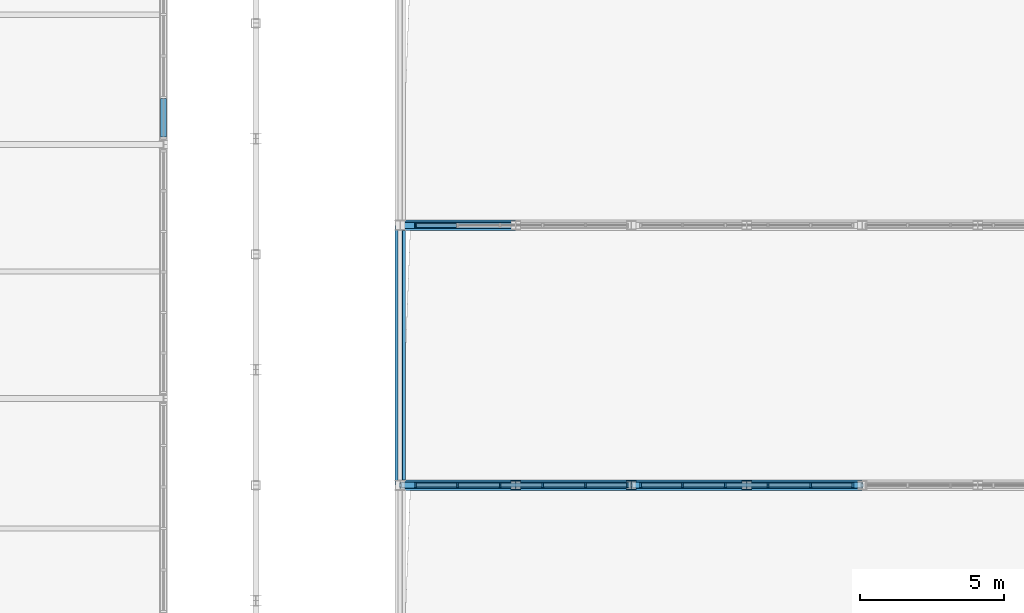
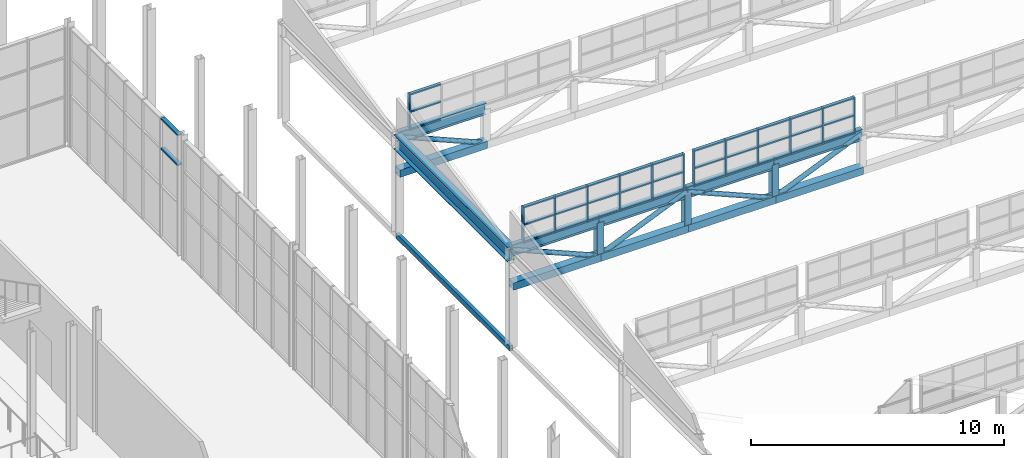
# One storey, part 82 of 159: 66 members, 2 beams, 4 elements without a shape of their own.
"""IFC4 building model written with IfcOpenShell, lengths in metres."""

from ifc_helpers import new_model, si_unit, direction, frame, origin, origin_2d, place, context, subcontext, project, spatial, rectangle, hollow_rectangle, hollow_circle, i_section, extrude, material, layer, layer_set, material_profile, profile_set, type_object, element, aggregate, save


model = new_model("IFC4")

# Units and contexts
model_context = context("Model", 3, precision=1e-05, world=origin(), true_north=direction((0.0, 1.0)))
body_context = subcontext(model_context, "Body", "Model", "MODEL_VIEW")
ifc_project = project(units=[si_unit("LENGTHUNIT", "METRE"), si_unit("AREAUNIT", "SQUARE_METRE"), si_unit("VOLUMEUNIT", "CUBIC_METRE"), si_unit("PLANEANGLEUNIT", "RADIAN"), si_unit("MASSUNIT", "GRAM", prefix="KILO")], contexts=[model_context])

# Site, building, storey
site_placement = place(None, origin())
site = spatial("IfcSite", under=ifc_project, at=site_placement, CompositionType="ELEMENT")
building_placement = place(site_placement, origin())
building = spatial("IfcBuilding", under=site, at=building_placement, Name="Cazmaro Siding Exhibition Halls", CompositionType="ELEMENT")
storey_placement = place(building_placement, frame((0.0, 0.0, 6.0)))
storey = spatial("IfcBuildingStorey", under=building, at=storey_placement, Name="L01", CompositionType="ELEMENT", Elevation=6.0)

# Curtain wall, members
ifc_material_1 = material(Name="Anodized Bronze Aluminum and Solar-Control Low-E Glazing", Category="aluminium")
ifc_layer_1 = layer(ifc_material_1, 0.159912109375)
ifc_layer_set_1 = layer_set([ifc_layer_1], Name="Anodized Bronze Aluminum and Solar-Control Low-E Glazing")
curtain_wall_type_1 = type_object("IfcCurtainWallType", Name="CWS-04", PredefinedType="USERDEFINED", material=ifc_layer_set_1)
curtain_wall_1_placement = place(storey_placement, origin())
curtain_wall_1 = element("IfcCurtainWall", 1, at=curtain_wall_1_placement, inside=storey, type_object=curtain_wall_type_1, Name="Clerestory Curtain Wall CWS-04 CW-125", ObjectType="CLERESTORY CURTAIN WALL", PredefinedType="USERDEFINED")
ifc_material_2 = material(Name="Anodized Bronze Extruded Aluminum", Category="aluminium")
ifc_material_profile_1 = material_profile(ifc_material_2, rectangle(XDim=0.159912109375, YDim=0.06005859375, at=origin_2d()), Name="CWM-04")
ifc_profile_set_1 = profile_set([ifc_material_profile_1], Name="Anodized Bronze Extruded Aluminum")
member_type_1 = type_object("IfcMemberType", Name="CWM-04", PredefinedType="MULLION", material=ifc_profile_set_1)
member_1_placement = place(storey_placement, frame((183.8701171875, 100.0, 4.800048828125), z_axis=(0.0, 0.0, 1.0), x_axis=(0.0, -1.0, 0.0)))
member_1 = element("IfcMember", 2, at=member_1_placement, type_object=member_type_1, Name="CWS-04 mullion 1", PredefinedType="MULLION", context=body_context, shape_type="SweptSolid", body=[
    extrude(rectangle(XDim=0.159912109375, YDim=0.06005859375, at=origin_2d()), origin(), (0.0, 0.0, 1.0), 1.75),
])
member_2_placement = place(storey_placement, frame((182.419921875, 100.0, 4.800048828125), z_axis=(0.0, 0.0, 1.0), x_axis=(0.0, -1.0, 0.0)))
member_2 = element("IfcMember", 3, at=member_2_placement, type_object=member_type_1, Name="CWS-04 mullion 2", PredefinedType="MULLION", context=body_context, shape_type="SweptSolid", body=[
    extrude(rectangle(XDim=0.159912109375, YDim=0.06005859375, at=origin_2d()), origin(), (0.0, 0.0, 1.0), 1.75),
])
member_3_placement = place(storey_placement, frame((180.93994140625, 100.0, 4.800048828125), z_axis=(0.0, 0.0, 1.0), x_axis=(0.0, -1.0, 0.0)))
member_3 = element("IfcMember", 4, at=member_3_placement, type_object=member_type_1, Name="CWS-04 mullion 3", PredefinedType="MULLION", context=body_context, shape_type="SweptSolid", body=[
    extrude(rectangle(XDim=0.159912109375, YDim=0.06005859375, at=origin_2d()), origin(), (0.0, 0.0, 1.0), 1.75),
])
member_4_placement = place(storey_placement, frame((179.4599609375, 100.0, 4.800048828125), z_axis=(0.0, 0.0, 1.0), x_axis=(0.0, -1.0, 0.0)))
member_4 = element("IfcMember", 5, at=member_4_placement, type_object=member_type_1, Name="CWS-04 mullion 4", PredefinedType="MULLION", context=body_context, shape_type="SweptSolid", body=[
    extrude(rectangle(XDim=0.159912109375, YDim=0.06005859375, at=origin_2d()), origin(), (0.0, 0.0, 1.0), 1.75),
])
member_5_placement = place(storey_placement, frame((177.97998046875, 100.0, 4.800048828125), z_axis=(0.0, 0.0, 1.0), x_axis=(0.0, -1.0, 0.0)))
member_5 = element("IfcMember", 6, at=member_5_placement, type_object=member_type_1, Name="CWS-04 mullion 5", PredefinedType="MULLION", context=body_context, shape_type="SweptSolid", body=[
    extrude(rectangle(XDim=0.159912109375, YDim=0.06005859375, at=origin_2d()), origin(), (0.0, 0.0, 1.0), 1.75),
])
member_6_placement = place(storey_placement, frame((176.530029296875, 100.0, 4.800048828125), z_axis=(0.0, 0.0, 1.0), x_axis=(0.0, -1.0, 0.0)))
member_6 = element("IfcMember", 7, at=member_6_placement, type_object=member_type_1, Name="CWS-04 mullion 6", PredefinedType="MULLION", context=body_context, shape_type="SweptSolid", body=[
    extrude(rectangle(XDim=0.159912109375, YDim=0.06005859375, at=origin_2d()), origin(), (0.0, 0.0, 1.0), 1.75),
])

curtain_wall_2_placement = place(storey_placement, origin())
curtain_wall_2 = element("IfcCurtainWall", 8, at=curtain_wall_2_placement, inside=storey, type_object=curtain_wall_type_1, Name="Clerestory Curtain Wall CWS-04 CW-126", ObjectType="CLERESTORY CURTAIN WALL", PredefinedType="USERDEFINED")
member_7_placement = place(storey_placement, frame((191.669921875, 100.0, 4.800048828125), z_axis=(0.0, 0.0, 1.0), x_axis=(0.0, -1.0, 0.0)))
member_7 = element("IfcMember", 9, at=member_7_placement, type_object=member_type_1, Name="CWS-04 mullion 1", PredefinedType="MULLION", context=body_context, shape_type="SweptSolid", body=[
    extrude(rectangle(XDim=0.159912109375, YDim=0.06005859375, at=origin_2d()), origin(), (0.0, 0.0, 1.0), 1.75),
])
member_8_placement = place(storey_placement, frame((190.219970703125, 100.0, 4.800048828125), z_axis=(0.0, 0.0, 1.0), x_axis=(0.0, -1.0, 0.0)))
member_8 = element("IfcMember", 10, at=member_8_placement, type_object=member_type_1, Name="CWS-04 mullion 2", PredefinedType="MULLION", context=body_context, shape_type="SweptSolid", body=[
    extrude(rectangle(XDim=0.159912109375, YDim=0.06005859375, at=origin_2d()), origin(), (0.0, 0.0, 1.0), 1.75),
])
member_9_placement = place(storey_placement, frame((188.739990234375, 100.0, 4.800048828125), z_axis=(0.0, 0.0, 1.0), x_axis=(0.0, -1.0, 0.0)))
member_9 = element("IfcMember", 11, at=member_9_placement, type_object=member_type_1, Name="CWS-04 mullion 3", PredefinedType="MULLION", context=body_context, shape_type="SweptSolid", body=[
    extrude(rectangle(XDim=0.159912109375, YDim=0.06005859375, at=origin_2d()), origin(), (0.0, 0.0, 1.0), 1.75),
])
member_10_placement = place(storey_placement, frame((187.260009765625, 100.0, 4.800048828125), z_axis=(0.0, 0.0, 1.0), x_axis=(0.0, -1.0, 0.0)))
member_10 = element("IfcMember", 12, at=member_10_placement, type_object=member_type_1, Name="CWS-04 mullion 4", PredefinedType="MULLION", context=body_context, shape_type="SweptSolid", body=[
    extrude(rectangle(XDim=0.159912109375, YDim=0.06005859375, at=origin_2d()), origin(), (0.0, 0.0, 1.0), 1.75),
])
member_11_placement = place(storey_placement, frame((185.780029296875, 100.0, 4.800048828125), z_axis=(0.0, 0.0, 1.0), x_axis=(0.0, -1.0, 0.0)))
member_11 = element("IfcMember", 13, at=member_11_placement, type_object=member_type_1, Name="CWS-04 mullion 5", PredefinedType="MULLION", context=body_context, shape_type="SweptSolid", body=[
    extrude(rectangle(XDim=0.159912109375, YDim=0.06005859375, at=origin_2d()), origin(), (0.0, 0.0, 1.0), 1.75),
])
member_12_placement = place(storey_placement, frame((184.330078125, 100.0, 4.800048828125), z_axis=(0.0, 0.0, 1.0), x_axis=(0.0, -1.0, 0.0)))
member_12 = element("IfcMember", 14, at=member_12_placement, type_object=member_type_1, Name="CWS-04 mullion 6", PredefinedType="MULLION", context=body_context, shape_type="SweptSolid", body=[
    extrude(rectangle(XDim=0.159912109375, YDim=0.06005859375, at=origin_2d()), origin(), (0.0, 0.0, 1.0), 1.75),
])

# Curtain wall, member
curtain_wall_3_placement = place(storey_placement, origin())
curtain_wall_3 = element("IfcCurtainWall", 15, at=curtain_wall_3_placement, inside=storey, type_object=curtain_wall_type_1, Name="Clerestory Curtain Wall CWS-04 CW-130", ObjectType="CLERESTORY CURTAIN WALL", PredefinedType="USERDEFINED")
member_13_placement = place(storey_placement, frame((176.530029296875, 109.0, 4.800048828125), z_axis=(0.0, 0.0, 1.0), x_axis=(0.0, -1.0, 0.0)))
member_13 = element("IfcMember", 16, at=member_13_placement, type_object=member_type_1, Name="CWS-04 mullion 6", PredefinedType="MULLION", context=body_context, shape_type="SweptSolid", body=[
    extrude(rectangle(XDim=0.159912109375, YDim=0.06005859375, at=origin_2d()), origin(), (0.0, 0.0, 1.0), 1.75),
])

# Curtain wall, members
ifc_material_3 = material(Name="Anodized Bronze Aluminum and Solar-Control Low-E Glazing", Category="aluminium")
ifc_layer_2 = layer(ifc_material_3, 0.219970703125)
ifc_layer_set_2 = layer_set([ifc_layer_2], Name="Anodized Bronze Aluminum and Solar-Control Low-E Glazing")
curtain_wall_type_2 = type_object("IfcCurtainWallType", Name="CWS-03", PredefinedType="USERDEFINED", material=ifc_layer_set_2)
curtain_wall_4_placement = place(storey_placement, origin())
curtain_wall_4 = element("IfcCurtainWall", 17, at=curtain_wall_4_placement, inside=storey, type_object=curtain_wall_type_2, Name="Glazed Curtain Wall CWS-03 CW-078", ObjectType="GLAZED CURTAIN WALL", PredefinedType="USERDEFINED")
ifc_material_4 = material(Name="Anodized Bronze Extruded Aluminum", Category="aluminium")
ifc_material_profile_2 = material_profile(ifc_material_4, rectangle(XDim=0.199951171875, YDim=0.070068359375, at=origin_2d()), Name="CWT-03")
ifc_profile_set_2 = profile_set([ifc_material_profile_2], Name="Anodized Bronze Extruded Aluminum")
member_type_2 = type_object("IfcMemberType", Name="CWT-03", PredefinedType="MULLION", material=ifc_profile_set_2)
member_14_placement = place(storey_placement, frame((167.800048828125, 112.068115234375, 4.300048828125), z_axis=(0.0, 1.0, 0.0), x_axis=(-1.0, 0.0, 0.0)))
member_14 = element("IfcMember", 18, at=member_14_placement, type_object=member_type_2, Name="CWS-03 transom 1.3", ObjectType="TRANSOM", PredefinedType="USERDEFINED", context=body_context, shape_type="SweptSolid", body=[
    extrude(rectangle(XDim=0.199951171875, YDim=0.070068359375, at=origin_2d()), origin(), (0.0, 0.0, 1.0), 1.328857421875),
])
member_15_placement = place(storey_placement, frame((167.800048828125, 112.068115234375, 5.7451171875), z_axis=(0.0, 1.0, 0.0), x_axis=(-1.0, 0.0, 0.0)))
member_15 = element("IfcMember", 19, at=member_15_placement, type_object=member_type_2, Name="CWS-03 transom 1.4", ObjectType="TRANSOM", PredefinedType="USERDEFINED", context=body_context, shape_type="SweptSolid", body=[
    extrude(rectangle(XDim=0.199951171875, YDim=0.070068359375, at=origin_2d()), origin(), (0.0, 0.0, 1.0), 1.328857421875),
])
aggregate(curtain_wall_4, [member_14, member_15])

# Member
ifc_material_5 = material(Name="Anodized Bronze Extruded Aluminum", Category="aluminium")
ifc_material_profile_3 = material_profile(ifc_material_5, rectangle(XDim=0.139892578125, YDim=0.06005859375, at=origin_2d()), Name="CWT-04")
ifc_profile_set_3 = profile_set([ifc_material_profile_3], Name="Anodized Bronze Extruded Aluminum")
member_type_3 = type_object("IfcMemberType", Name="CWT-04", PredefinedType="MULLION", material=ifc_profile_set_3)
member_16_placement = place(storey_placement, frame((183.840087890625, 100.0, 4.830078125), z_axis=(-1.0, 0.0, 0.0), x_axis=(0.0, -1.0, 0.0)))
member_16 = element("IfcMember", 20, at=member_16_placement, type_object=member_type_3, Name="CWS-04 transom 1.1", ObjectType="TRANSOM", PredefinedType="USERDEFINED", context=body_context, shape_type="SweptSolid", body=[
    extrude(rectangle(XDim=0.139892578125, YDim=0.06005859375, at=origin_2d()), origin(), (0.0, 0.0, 1.0), 1.39013671875),
])

member_17_placement = place(storey_placement, frame((183.840087890625, 100.0, 5.679931640625), z_axis=(-1.0, 0.0, 0.0), x_axis=(0.0, -1.0, 0.0)))
member_17 = element("IfcMember", 21, at=member_17_placement, type_object=member_type_3, Name="CWS-04 transom 1.2", ObjectType="TRANSOM", PredefinedType="USERDEFINED", context=body_context, shape_type="SweptSolid", body=[
    extrude(rectangle(XDim=0.139892578125, YDim=0.06005859375, at=origin_2d()), origin(), (0.0, 0.0, 1.0), 1.39013671875),
])

member_18_placement = place(storey_placement, frame((183.840087890625, 100.0, 6.52001953125), z_axis=(-1.0, 0.0, 0.0), x_axis=(0.0, -1.0, 0.0)))
member_18 = element("IfcMember", 22, at=member_18_placement, type_object=member_type_3, Name="CWS-04 transom 1.3", ObjectType="TRANSOM", PredefinedType="USERDEFINED", context=body_context, shape_type="SweptSolid", body=[
    extrude(rectangle(XDim=0.139892578125, YDim=0.06005859375, at=origin_2d()), origin(), (0.0, 0.0, 1.0), 1.39013671875),
])

member_19_placement = place(storey_placement, frame((182.389892578125, 100.0, 4.830078125), z_axis=(-1.0, 0.0, 0.0), x_axis=(0.0, -1.0, 0.0)))
member_19 = element("IfcMember", 23, at=member_19_placement, type_object=member_type_3, Name="CWS-04 transom 2.1", ObjectType="TRANSOM", PredefinedType="USERDEFINED", context=body_context, shape_type="SweptSolid", body=[
    extrude(rectangle(XDim=0.139892578125, YDim=0.06005859375, at=origin_2d()), origin(), (0.0, 0.0, 1.0), 1.419921875),
])

member_20_placement = place(storey_placement, frame((182.389892578125, 100.0, 5.679931640625), z_axis=(-1.0, 0.0, 0.0), x_axis=(0.0, -1.0, 0.0)))
member_20 = element("IfcMember", 24, at=member_20_placement, type_object=member_type_3, Name="CWS-04 transom 2.2", ObjectType="TRANSOM", PredefinedType="USERDEFINED", context=body_context, shape_type="SweptSolid", body=[
    extrude(rectangle(XDim=0.139892578125, YDim=0.06005859375, at=origin_2d()), origin(), (0.0, 0.0, 1.0), 1.419921875),
])

member_21_placement = place(storey_placement, frame((182.389892578125, 100.0, 6.52001953125), z_axis=(-1.0, 0.0, 0.0), x_axis=(0.0, -1.0, 0.0)))
member_21 = element("IfcMember", 25, at=member_21_placement, type_object=member_type_3, Name="CWS-04 transom 2.3", ObjectType="TRANSOM", PredefinedType="USERDEFINED", context=body_context, shape_type="SweptSolid", body=[
    extrude(rectangle(XDim=0.139892578125, YDim=0.06005859375, at=origin_2d()), origin(), (0.0, 0.0, 1.0), 1.419921875),
])

member_22_placement = place(storey_placement, frame((180.909912109375, 100.0, 4.830078125), z_axis=(-1.0, 0.0, 0.0), x_axis=(0.0, -1.0, 0.0)))
member_22 = element("IfcMember", 26, at=member_22_placement, type_object=member_type_3, Name="CWS-04 transom 3.1", ObjectType="TRANSOM", PredefinedType="USERDEFINED", context=body_context, shape_type="SweptSolid", body=[
    extrude(rectangle(XDim=0.139892578125, YDim=0.06005859375, at=origin_2d()), origin(), (0.0, 0.0, 1.0), 1.419921875),
])

member_23_placement = place(storey_placement, frame((180.909912109375, 100.0, 5.679931640625), z_axis=(-1.0, 0.0, 0.0), x_axis=(0.0, -1.0, 0.0)))
member_23 = element("IfcMember", 27, at=member_23_placement, type_object=member_type_3, Name="CWS-04 transom 3.2", ObjectType="TRANSOM", PredefinedType="USERDEFINED", context=body_context, shape_type="SweptSolid", body=[
    extrude(rectangle(XDim=0.139892578125, YDim=0.06005859375, at=origin_2d()), origin(), (0.0, 0.0, 1.0), 1.419921875),
])

member_24_placement = place(storey_placement, frame((180.909912109375, 100.0, 6.52001953125), z_axis=(-1.0, 0.0, 0.0), x_axis=(0.0, -1.0, 0.0)))
member_24 = element("IfcMember", 28, at=member_24_placement, type_object=member_type_3, Name="CWS-04 transom 3.3", ObjectType="TRANSOM", PredefinedType="USERDEFINED", context=body_context, shape_type="SweptSolid", body=[
    extrude(rectangle(XDim=0.139892578125, YDim=0.06005859375, at=origin_2d()), origin(), (0.0, 0.0, 1.0), 1.419921875),
])

member_25_placement = place(storey_placement, frame((179.429931640625, 100.0, 4.830078125), z_axis=(-1.0, 0.0, 0.0), x_axis=(0.0, -1.0, 0.0)))
member_25 = element("IfcMember", 29, at=member_25_placement, type_object=member_type_3, Name="CWS-04 transom 4.1", ObjectType="TRANSOM", PredefinedType="USERDEFINED", context=body_context, shape_type="SweptSolid", body=[
    extrude(rectangle(XDim=0.139892578125, YDim=0.06005859375, at=origin_2d()), origin(), (0.0, 0.0, 1.0), 1.419921875),
])

member_26_placement = place(storey_placement, frame((179.429931640625, 100.0, 5.679931640625), z_axis=(-1.0, 0.0, 0.0), x_axis=(0.0, -1.0, 0.0)))
member_26 = element("IfcMember", 30, at=member_26_placement, type_object=member_type_3, Name="CWS-04 transom 4.2", ObjectType="TRANSOM", PredefinedType="USERDEFINED", context=body_context, shape_type="SweptSolid", body=[
    extrude(rectangle(XDim=0.139892578125, YDim=0.06005859375, at=origin_2d()), origin(), (0.0, 0.0, 1.0), 1.419921875),
])

member_27_placement = place(storey_placement, frame((179.429931640625, 100.0, 6.52001953125), z_axis=(-1.0, 0.0, 0.0), x_axis=(0.0, -1.0, 0.0)))
member_27 = element("IfcMember", 31, at=member_27_placement, type_object=member_type_3, Name="CWS-04 transom 4.3", ObjectType="TRANSOM", PredefinedType="USERDEFINED", context=body_context, shape_type="SweptSolid", body=[
    extrude(rectangle(XDim=0.139892578125, YDim=0.06005859375, at=origin_2d()), origin(), (0.0, 0.0, 1.0), 1.419921875),
])

member_28_placement = place(storey_placement, frame((177.949951171875, 100.0, 4.830078125), z_axis=(-1.0, 0.0, 0.0), x_axis=(0.0, -1.0, 0.0)))
member_28 = element("IfcMember", 32, at=member_28_placement, type_object=member_type_3, Name="CWS-04 transom 5.1", ObjectType="TRANSOM", PredefinedType="USERDEFINED", context=body_context, shape_type="SweptSolid", body=[
    extrude(rectangle(XDim=0.139892578125, YDim=0.06005859375, at=origin_2d()), origin(), (0.0, 0.0, 1.0), 1.389892578125),
])

member_29_placement = place(storey_placement, frame((177.949951171875, 100.0, 5.679931640625), z_axis=(-1.0, 0.0, 0.0), x_axis=(0.0, -1.0, 0.0)))
member_29 = element("IfcMember", 33, at=member_29_placement, type_object=member_type_3, Name="CWS-04 transom 5.2", ObjectType="TRANSOM", PredefinedType="USERDEFINED", context=body_context, shape_type="SweptSolid", body=[
    extrude(rectangle(XDim=0.139892578125, YDim=0.06005859375, at=origin_2d()), origin(), (0.0, 0.0, 1.0), 1.389892578125),
])

member_30_placement = place(storey_placement, frame((177.949951171875, 100.0, 6.52001953125), z_axis=(-1.0, 0.0, 0.0), x_axis=(0.0, -1.0, 0.0)))
member_30 = element("IfcMember", 34, at=member_30_placement, type_object=member_type_3, Name="CWS-04 transom 5.3", ObjectType="TRANSOM", PredefinedType="USERDEFINED", context=body_context, shape_type="SweptSolid", body=[
    extrude(rectangle(XDim=0.139892578125, YDim=0.06005859375, at=origin_2d()), origin(), (0.0, 0.0, 1.0), 1.389892578125),
])

aggregate(curtain_wall_1, [member_1, member_2, member_3, member_4, member_5, member_6, member_16, member_17, member_18, member_19, member_20, member_21, member_22, member_23, member_24, member_25, member_26, member_27, member_28, member_29, member_30])

member_31_placement = place(storey_placement, frame((191.639892578125, 100.0, 4.830078125), z_axis=(-1.0, 0.0, 0.0), x_axis=(0.0, -1.0, 0.0)))
member_31 = element("IfcMember", 35, at=member_31_placement, type_object=member_type_3, Name="CWS-04 transom 1.1", ObjectType="TRANSOM", PredefinedType="USERDEFINED", context=body_context, shape_type="SweptSolid", body=[
    extrude(rectangle(XDim=0.139892578125, YDim=0.06005859375, at=origin_2d()), origin(), (0.0, 0.0, 1.0), 1.389892578125),
])

member_32_placement = place(storey_placement, frame((191.639892578125, 100.0, 5.679931640625), z_axis=(-1.0, 0.0, 0.0), x_axis=(0.0, -1.0, 0.0)))
member_32 = element("IfcMember", 36, at=member_32_placement, type_object=member_type_3, Name="CWS-04 transom 1.2", ObjectType="TRANSOM", PredefinedType="USERDEFINED", context=body_context, shape_type="SweptSolid", body=[
    extrude(rectangle(XDim=0.139892578125, YDim=0.06005859375, at=origin_2d()), origin(), (0.0, 0.0, 1.0), 1.389892578125),
])

member_33_placement = place(storey_placement, frame((191.639892578125, 100.0, 6.52001953125), z_axis=(-1.0, 0.0, 0.0), x_axis=(0.0, -1.0, 0.0)))
member_33 = element("IfcMember", 37, at=member_33_placement, type_object=member_type_3, Name="CWS-04 transom 1.3", ObjectType="TRANSOM", PredefinedType="USERDEFINED", context=body_context, shape_type="SweptSolid", body=[
    extrude(rectangle(XDim=0.139892578125, YDim=0.06005859375, at=origin_2d()), origin(), (0.0, 0.0, 1.0), 1.389892578125),
])

member_34_placement = place(storey_placement, frame((190.18994140625, 100.0, 4.830078125), z_axis=(-1.0, 0.0, 0.0), x_axis=(0.0, -1.0, 0.0)))
member_34 = element("IfcMember", 38, at=member_34_placement, type_object=member_type_3, Name="CWS-04 transom 2.1", ObjectType="TRANSOM", PredefinedType="USERDEFINED", context=body_context, shape_type="SweptSolid", body=[
    extrude(rectangle(XDim=0.139892578125, YDim=0.06005859375, at=origin_2d()), origin(), (0.0, 0.0, 1.0), 1.419921875),
])

member_35_placement = place(storey_placement, frame((190.18994140625, 100.0, 5.679931640625), z_axis=(-1.0, 0.0, 0.0), x_axis=(0.0, -1.0, 0.0)))
member_35 = element("IfcMember", 39, at=member_35_placement, type_object=member_type_3, Name="CWS-04 transom 2.2", ObjectType="TRANSOM", PredefinedType="USERDEFINED", context=body_context, shape_type="SweptSolid", body=[
    extrude(rectangle(XDim=0.139892578125, YDim=0.06005859375, at=origin_2d()), origin(), (0.0, 0.0, 1.0), 1.419921875),
])

member_36_placement = place(storey_placement, frame((190.18994140625, 100.0, 6.52001953125), z_axis=(-1.0, 0.0, 0.0), x_axis=(0.0, -1.0, 0.0)))
member_36 = element("IfcMember", 40, at=member_36_placement, type_object=member_type_3, Name="CWS-04 transom 2.3", ObjectType="TRANSOM", PredefinedType="USERDEFINED", context=body_context, shape_type="SweptSolid", body=[
    extrude(rectangle(XDim=0.139892578125, YDim=0.06005859375, at=origin_2d()), origin(), (0.0, 0.0, 1.0), 1.419921875),
])

member_37_placement = place(storey_placement, frame((188.7099609375, 100.0, 4.830078125), z_axis=(-1.0, 0.0, 0.0), x_axis=(0.0, -1.0, 0.0)))
member_37 = element("IfcMember", 41, at=member_37_placement, type_object=member_type_3, Name="CWS-04 transom 3.1", ObjectType="TRANSOM", PredefinedType="USERDEFINED", context=body_context, shape_type="SweptSolid", body=[
    extrude(rectangle(XDim=0.139892578125, YDim=0.06005859375, at=origin_2d()), origin(), (0.0, 0.0, 1.0), 1.419921875),
])

member_38_placement = place(storey_placement, frame((188.7099609375, 100.0, 5.679931640625), z_axis=(-1.0, 0.0, 0.0), x_axis=(0.0, -1.0, 0.0)))
member_38 = element("IfcMember", 42, at=member_38_placement, type_object=member_type_3, Name="CWS-04 transom 3.2", ObjectType="TRANSOM", PredefinedType="USERDEFINED", context=body_context, shape_type="SweptSolid", body=[
    extrude(rectangle(XDim=0.139892578125, YDim=0.06005859375, at=origin_2d()), origin(), (0.0, 0.0, 1.0), 1.419921875),
])

member_39_placement = place(storey_placement, frame((188.7099609375, 100.0, 6.52001953125), z_axis=(-1.0, 0.0, 0.0), x_axis=(0.0, -1.0, 0.0)))
member_39 = element("IfcMember", 43, at=member_39_placement, type_object=member_type_3, Name="CWS-04 transom 3.3", ObjectType="TRANSOM", PredefinedType="USERDEFINED", context=body_context, shape_type="SweptSolid", body=[
    extrude(rectangle(XDim=0.139892578125, YDim=0.06005859375, at=origin_2d()), origin(), (0.0, 0.0, 1.0), 1.419921875),
])

member_40_placement = place(storey_placement, frame((187.22998046875, 100.0, 4.830078125), z_axis=(-1.0, 0.0, 0.0), x_axis=(0.0, -1.0, 0.0)))
member_40 = element("IfcMember", 44, at=member_40_placement, type_object=member_type_3, Name="CWS-04 transom 4.1", ObjectType="TRANSOM", PredefinedType="USERDEFINED", context=body_context, shape_type="SweptSolid", body=[
    extrude(rectangle(XDim=0.139892578125, YDim=0.06005859375, at=origin_2d()), origin(), (0.0, 0.0, 1.0), 1.419921875),
])

member_41_placement = place(storey_placement, frame((187.22998046875, 100.0, 5.679931640625), z_axis=(-1.0, 0.0, 0.0), x_axis=(0.0, -1.0, 0.0)))
member_41 = element("IfcMember", 45, at=member_41_placement, type_object=member_type_3, Name="CWS-04 transom 4.2", ObjectType="TRANSOM", PredefinedType="USERDEFINED", context=body_context, shape_type="SweptSolid", body=[
    extrude(rectangle(XDim=0.139892578125, YDim=0.06005859375, at=origin_2d()), origin(), (0.0, 0.0, 1.0), 1.419921875),
])

member_42_placement = place(storey_placement, frame((187.22998046875, 100.0, 6.52001953125), z_axis=(-1.0, 0.0, 0.0), x_axis=(0.0, -1.0, 0.0)))
member_42 = element("IfcMember", 46, at=member_42_placement, type_object=member_type_3, Name="CWS-04 transom 4.3", ObjectType="TRANSOM", PredefinedType="USERDEFINED", context=body_context, shape_type="SweptSolid", body=[
    extrude(rectangle(XDim=0.139892578125, YDim=0.06005859375, at=origin_2d()), origin(), (0.0, 0.0, 1.0), 1.419921875),
])

member_43_placement = place(storey_placement, frame((185.75, 100.0, 4.830078125), z_axis=(-1.0, 0.0, 0.0), x_axis=(0.0, -1.0, 0.0)))
member_43 = element("IfcMember", 47, at=member_43_placement, type_object=member_type_3, Name="CWS-04 transom 5.1", ObjectType="TRANSOM", PredefinedType="USERDEFINED", context=body_context, shape_type="SweptSolid", body=[
    extrude(rectangle(XDim=0.139892578125, YDim=0.06005859375, at=origin_2d()), origin(), (0.0, 0.0, 1.0), 1.389892578125),
])

member_44_placement = place(storey_placement, frame((185.75, 100.0, 5.679931640625), z_axis=(-1.0, 0.0, 0.0), x_axis=(0.0, -1.0, 0.0)))
member_44 = element("IfcMember", 48, at=member_44_placement, type_object=member_type_3, Name="CWS-04 transom 5.2", ObjectType="TRANSOM", PredefinedType="USERDEFINED", context=body_context, shape_type="SweptSolid", body=[
    extrude(rectangle(XDim=0.139892578125, YDim=0.06005859375, at=origin_2d()), origin(), (0.0, 0.0, 1.0), 1.389892578125),
])

member_45_placement = place(storey_placement, frame((185.75, 100.0, 6.52001953125), z_axis=(-1.0, 0.0, 0.0), x_axis=(0.0, -1.0, 0.0)))
member_45 = element("IfcMember", 49, at=member_45_placement, type_object=member_type_3, Name="CWS-04 transom 5.3", ObjectType="TRANSOM", PredefinedType="USERDEFINED", context=body_context, shape_type="SweptSolid", body=[
    extrude(rectangle(XDim=0.139892578125, YDim=0.06005859375, at=origin_2d()), origin(), (0.0, 0.0, 1.0), 1.389892578125),
])

aggregate(curtain_wall_2, [member_7, member_8, member_9, member_10, member_11, member_12, member_31, member_32, member_33, member_34, member_35, member_36, member_37, member_38, member_39, member_40, member_41, member_42, member_43, member_44, member_45])

member_46_placement = place(storey_placement, frame((177.949951171875, 109.0, 4.830078125), z_axis=(-1.0, 0.0, 0.0), x_axis=(0.0, -1.0, 0.0)))
member_46 = element("IfcMember", 50, at=member_46_placement, type_object=member_type_3, Name="CWS-04 transom 5.1", ObjectType="TRANSOM", PredefinedType="USERDEFINED", context=body_context, shape_type="SweptSolid", body=[
    extrude(rectangle(XDim=0.139892578125, YDim=0.06005859375, at=origin_2d()), origin(), (0.0, 0.0, 1.0), 1.389892578125),
])

member_47_placement = place(storey_placement, frame((177.949951171875, 109.0, 5.679931640625), z_axis=(-1.0, 0.0, 0.0), x_axis=(0.0, -1.0, 0.0)))
member_47 = element("IfcMember", 51, at=member_47_placement, type_object=member_type_3, Name="CWS-04 transom 5.2", ObjectType="TRANSOM", PredefinedType="USERDEFINED", context=body_context, shape_type="SweptSolid", body=[
    extrude(rectangle(XDim=0.139892578125, YDim=0.06005859375, at=origin_2d()), origin(), (0.0, 0.0, 1.0), 1.389892578125),
])

member_48_placement = place(storey_placement, frame((177.949951171875, 109.0, 6.52001953125), z_axis=(-1.0, 0.0, 0.0), x_axis=(0.0, -1.0, 0.0)))
member_48 = element("IfcMember", 52, at=member_48_placement, type_object=member_type_3, Name="CWS-04 transom 5.3", ObjectType="TRANSOM", PredefinedType="USERDEFINED", context=body_context, shape_type="SweptSolid", body=[
    extrude(rectangle(XDim=0.139892578125, YDim=0.06005859375, at=origin_2d()), origin(), (0.0, 0.0, 1.0), 1.389892578125),
])

aggregate(curtain_wall_3, [member_13, member_46, member_47, member_48])

# Beams
ifc_material_6 = material(Name="Steel ASTM A992 Grade 50", Category="steel")
ifc_material_profile_4 = material_profile(ifc_material_6, i_section(OverallWidth=0.35595703125, OverallDepth=0.696044921875, WebThickness=0.014892578125, FlangeThickness=0.02490234375, at=origin_2d()), Name="W27X146")
ifc_profile_set_4 = profile_set([ifc_material_profile_4], Name="Steel ASTM A992 Grade 50")
beam_type_1 = type_object("IfcBeamType", Name="G-05", PredefinedType="USERDEFINED", material=ifc_profile_set_4)
beam_1_placement = place(storey_placement, frame((176.0, 100.0, 4.451904296875), z_axis=(0.0, 1.0, 0.0), x_axis=(-1.0, 0.0, 0.0)))
element("IfcBeam", 53, at=beam_1_placement, inside=storey, type_object=beam_type_1, Name="Beam G-05 BM-1560", ObjectType="GIRDER", PredefinedType="USERDEFINED", context=body_context, shape_type="SweptSolid", body=[
    extrude(i_section(OverallWidth=0.35595703125, OverallDepth=0.696044921875, WebThickness=0.014892578125, FlangeThickness=0.02490234375, at=origin_2d()), origin(), (0.0, 0.0, 1.0), 9.0),
])
ifc_material_7 = material(Name="Steel ASTM A500 Grade C", Category="steel")
ifc_material_profile_5 = material_profile(ifc_material_7, hollow_rectangle(XDim=0.152099609375, YDim=0.25390625, WallThickness=0.011962890625, at=origin_2d()), Name="HSS10X6X1/2")
ifc_profile_set_5 = profile_set([ifc_material_profile_5], Name="Steel ASTM A500 Grade C")
beam_type_2 = type_object("IfcBeamType", Name="SP-02", PredefinedType="SPANDREL", material=ifc_profile_set_5)
beam_2_placement = place(storey_placement, frame((176.0, 100.0, -0.126953125), z_axis=(0.0, 1.0, 0.0), x_axis=(-1.0, 0.0, 0.0)))
element("IfcBeam", 54, at=beam_2_placement, inside=storey, type_object=beam_type_2, Name="Beam SP-02 BM-1559", PredefinedType="SPANDREL", context=body_context, shape_type="SweptSolid", body=[
    extrude(hollow_rectangle(XDim=0.152099609375, YDim=0.25390625, WallThickness=0.011962890625, at=origin_2d()), origin(), (0.0, 0.0, 1.0), 9.0),
])

# Members
ifc_material_8 = material(Name="Steel ASTM A992 Grade 50", Category="steel")
ifc_material_profile_6 = material_profile(ifc_material_8, i_section(OverallWidth=0.214111328125, OverallDepth=0.549072265625, WebThickness=0.014892578125, FlangeThickness=0.02392578125, at=origin_2d()), Name="W21X93")
ifc_profile_set_6 = profile_set([ifc_material_profile_6], Name="Steel ASTM A992 Grade 50")
member_type_4 = type_object("IfcMemberType", Name="TC-04", PredefinedType="CHORD", material=ifc_profile_set_6)
for number, where, z_axis, x_axis, name in (
    (55, (176.0, 100.0, 4.64990234375), (1.0, 0.0, 0.0), (0.0, 1.0, 0.0), "Sawtooth truss top chord TC-04 MEM-3127"),
    (56, (180.0, 100.0, 4.64990234375), (1.0, 0.0, 0.0), (0.0, 1.0, 0.0), "Sawtooth truss top chord TC-04 MEM-3130"),
    (57, (184.0, 100.0, 4.64990234375), (1.0, 0.0, 0.0), (0.0, 1.0, 0.0), "Sawtooth truss top chord TC-04 MEM-3133"),
    (58, (188.0, 100.0, 4.64990234375), (1.0, 0.0, 0.0), (0.0, 1.0, 0.0), "Sawtooth truss top chord TC-04 MEM-3136"),
    (59, (176.0, 109.0, 4.64990234375), (1.0, 0.0, 0.0), (0.0, 1.0, 0.0), "Sawtooth truss top chord TC-04 MEM-3166"),
):
    element("IfcMember", number, at=place(storey_placement, frame(where, z_axis=z_axis, x_axis=x_axis)), inside=storey, type_object=member_type_4, Name=name, PredefinedType="CHORD", context=body_context, shape_type="SweptSolid", body=[
        extrude(i_section(OverallWidth=0.214111328125, OverallDepth=0.549072265625, WebThickness=0.014892578125, FlangeThickness=0.02392578125, at=origin_2d()), origin(), (0.0, 0.0, 1.0), 4.0),
    ])
ifc_material_9 = material(Name="Steel ASTM A500 Grade C", Category="steel")
ifc_material_profile_7 = material_profile(ifc_material_9, hollow_rectangle(XDim=0.35595703125, YDim=0.35595703125, WallThickness=0.014892578125, at=origin_2d()), Name="HSS14X14X5/8")
ifc_profile_set_7 = profile_set([ifc_material_profile_7], Name="Steel ASTM A500 Grade C")
member_type_5 = type_object("IfcMemberType", Name="TC-05", PredefinedType="CHORD", material=ifc_profile_set_7)
for number, where, z_axis, x_axis, name in (
    (60, (176.0, 100.0, 2.949951171875), (1.0, 0.0, 0.0), (0.0, 1.0, 0.0), "Sawtooth truss bottom chord TC-05 MEM-3128"),
    (61, (180.0, 100.0, 2.949951171875), (1.0, 0.0, 0.0), (0.0, 1.0, 0.0), "Sawtooth truss bottom chord TC-05 MEM-3131"),
    (62, (184.0, 100.0, 2.949951171875), (1.0, 0.0, 0.0), (0.0, 1.0, 0.0), "Sawtooth truss bottom chord TC-05 MEM-3134"),
    (63, (188.0, 100.0, 2.949951171875), (1.0, 0.0, 0.0), (0.0, 1.0, 0.0), "Sawtooth truss bottom chord TC-05 MEM-3137"),
    (64, (176.0, 109.0, 2.949951171875), (1.0, 0.0, 0.0), (0.0, 1.0, 0.0), "Sawtooth truss bottom chord TC-05 MEM-3167"),
):
    element("IfcMember", number, at=place(storey_placement, frame(where, z_axis=z_axis, x_axis=x_axis)), inside=storey, type_object=member_type_5, Name=name, PredefinedType="CHORD", context=body_context, shape_type="SweptSolid", body=[
        extrude(hollow_rectangle(XDim=0.35595703125, YDim=0.35595703125, WallThickness=0.014892578125, at=origin_2d()), origin(), (0.0, 0.0, 1.0), 4.0),
    ])
ifc_material_10 = material(Name="Steel ASTM A992 Grade 50", Category="steel")
ifc_material_profile_8 = material_profile(ifc_material_10, i_section(OverallWidth=0.304931640625, OverallDepth=0.306884765625, WebThickness=0.010009765625, FlangeThickness=0.014892578125, at=origin_2d()), Name="W12X65")
ifc_profile_set_8 = profile_set([ifc_material_profile_8], Name="Steel ASTM A992 Grade 50")
member_type_6 = type_object("IfcMemberType", Name="TP-03", PredefinedType="POST", material=ifc_profile_set_8)
for number, where, z_axis, x_axis, name in (
    (65, (180.0, 100.0, 2.949951171875), (0.0, 0.0, 1.0), (1.0, 0.0, 0.0), "Sawtooth truss post TP-03 MEM-3157"),
    (66, (184.0, 100.0, 2.949951171875), (0.0, 0.0, 1.0), (1.0, 0.0, 0.0), "Sawtooth truss post TP-03 MEM-3158"),
    (67, (188.0, 100.0, 2.949951171875), (0.0, 0.0, 1.0), (1.0, 0.0, 0.0), "Sawtooth truss post TP-03 MEM-3159"),
):
    element("IfcMember", number, at=place(storey_placement, frame(where, z_axis=z_axis, x_axis=x_axis)), inside=storey, type_object=member_type_6, Name=name, PredefinedType="POST", context=body_context, shape_type="SweptSolid", body=[
        extrude(i_section(OverallWidth=0.304931640625, OverallDepth=0.306884765625, WebThickness=0.010009765625, FlangeThickness=0.014892578125, at=origin_2d()), origin(), (0.0, 0.0, 1.0), 1.699951171875),
    ])
ifc_material_11 = material(Name="Steel ASTM A500 Grade C", Category="steel")
ifc_material_profile_9 = material_profile(ifc_material_11, hollow_circle(Radius=0.109619140625, WallThickness=0.012939453125, at=origin_2d()), Name="PIPE8XS")
ifc_profile_set_9 = profile_set([ifc_material_profile_9], Name="Steel ASTM A500 Grade C")
member_type_7 = type_object("IfcMemberType", Name="WB-01", PredefinedType="BRACE", material=ifc_profile_set_9)
for number, where, z_axis, x_axis, name in (
    (68, (176.0, 100.0, 4.64990234375), (0.920334962612, 0.0, -0.391131124553), (0.0, 1.0, 0.0), "Sawtooth truss diagonal WB-01 MEM-3129"),
    (69, (180.0, 100.0, 2.949951171875), (0.920334962612, 0.0, 0.391131124553), (0.0, 1.0, 0.0), "Sawtooth truss diagonal WB-01 MEM-3132"),
    (70, (184.0, 100.0, 4.64990234375), (0.920334962612, 0.0, -0.391131124553), (0.0, 1.0, 0.0), "Sawtooth truss diagonal WB-01 MEM-3135"),
    (71, (188.0, 100.0, 2.949951171875), (0.920334962612, 0.0, 0.391131124553), (0.0, 1.0, 0.0), "Sawtooth truss diagonal WB-01 MEM-3138"),
    (72, (176.0, 109.0, 4.64990234375), (0.920334962612, 0.0, -0.391131124553), (0.0, 1.0, 0.0), "Sawtooth truss diagonal WB-01 MEM-3168"),
):
    element("IfcMember", number, at=place(storey_placement, frame(where, z_axis=z_axis, x_axis=x_axis)), inside=storey, type_object=member_type_7, Name=name, PredefinedType="BRACE", context=body_context, shape_type="SweptSolid", body=[
        extrude(hollow_circle(Radius=0.109619140625, WallThickness=0.012939453125, at=origin_2d()), origin(), (0.0, 0.0, 1.0), 4.34619140625),
    ])

save(model, "model.ifc")
